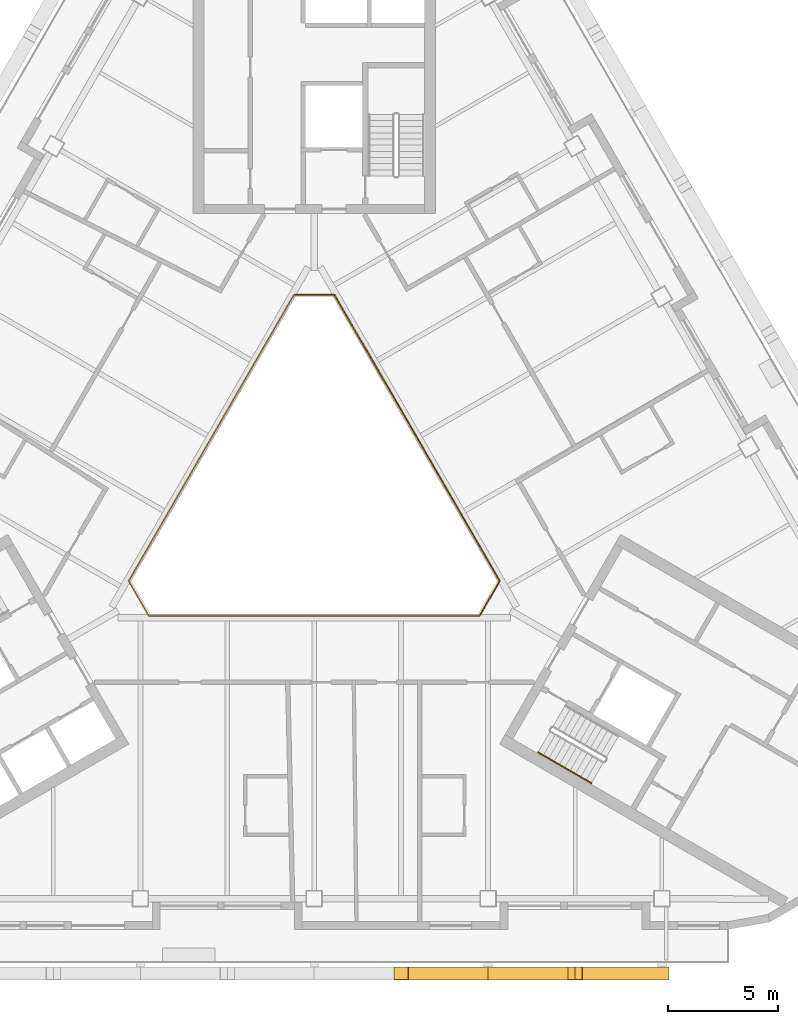
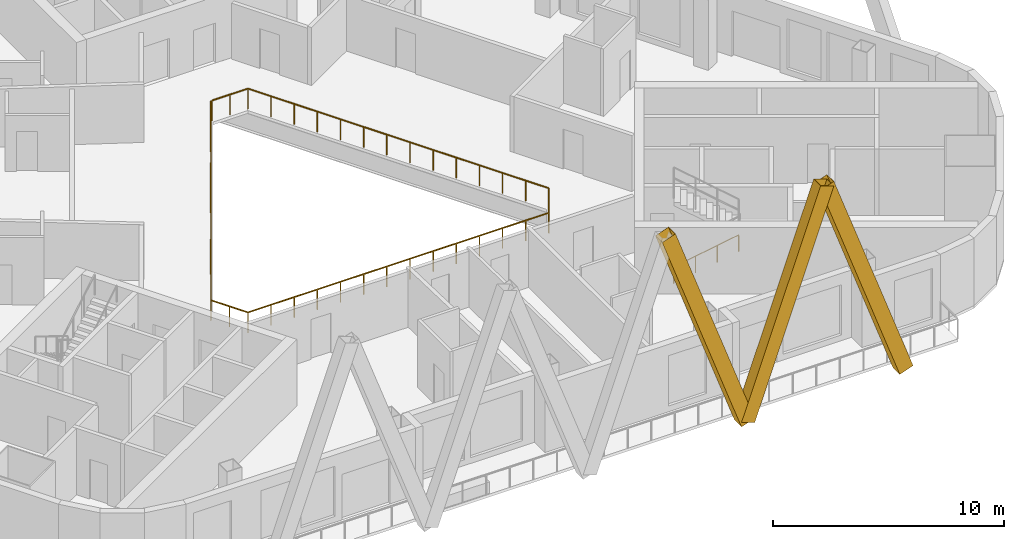
# One storey, part 10 of 13: 3 railings, 3 shading devices.
"""IFC4 building model written with IfcOpenShell, lengths in metres."""

from ifc_helpers import new_model, si_unit, direction, frame, origin, origin_2d, place, context, subcontext, project, spatial, rectangle, hollow_rectangle, circle, extrude, material, material_profile, profile_set, type_object, element, save


model = new_model("IFC4")

# Units and contexts
model_context = context("Model", 3, precision=1e-05, world=origin(), true_north=direction((0.0, 1.0)))
body_context = subcontext(model_context, "Body", "Model", "MODEL_VIEW")
ifc_project = project(units=[si_unit("LENGTHUNIT", "METRE"), si_unit("AREAUNIT", "SQUARE_METRE"), si_unit("VOLUMEUNIT", "CUBIC_METRE"), si_unit("PLANEANGLEUNIT", "RADIAN"), si_unit("MASSUNIT", "GRAM", prefix="KILO")], contexts=[model_context])

# Site, building, storey
site_placement = place(None, origin())
site = spatial("IfcSite", under=ifc_project, at=site_placement, CompositionType="ELEMENT")
building_placement = place(site_placement, origin())
building = spatial("IfcBuilding", under=site, at=building_placement, Name="Apuvela Tower Hotel", CompositionType="ELEMENT")
storey_placement = place(building_placement, frame((0.0, 0.0, 191.0)))
storey = spatial("IfcBuildingStorey", under=building, at=storey_placement, Name="L46", CompositionType="ELEMENT", Elevation=191.0)

# Railing
ifc_material_1 = material(Name="Stainless steel 316 handrail", Category="steel")
railing_type_1 = type_object("IfcRailingType", Name="COR-HANDRAIL-900", PredefinedType="HANDRAIL", material=ifc_material_1)
railing_1_placement = place(storey_placement, frame((10.1689453125, -11.5869140625, 0.168212890625)))
element("IfcRailing", 1, at=railing_1_placement, inside=storey, type_object=railing_type_1, Name="L46 ST3 stair handrail 1", PredefinedType="HANDRAIL", context=body_context, shape_type="SweptSolid", body=[
    extrude(circle(Radius=0.02392578125, at=origin_2d()), frame((0.0, 0.0, 0.8759765625), z_axis=(0.742390482028, -0.42860119049, 0.514934356695), x_axis=(0.49998411664, 0.866034573852, 0.0)), (0.0, 0.0, 1.0), 3.26611328125),
    extrude(rectangle(XDim=0.0419921875, YDim=0.0419921875, at=origin_2d()), origin(), (0.0, 0.0, 1.0), 0.851806640625),
    extrude(rectangle(XDim=0.0419921875, YDim=0.0419921875, at=origin_2d()), frame((0.808349609375, -0.466552734375, 0.560546875)), (0.0, 0.0, 1.0), 0.851806640625),
    extrude(rectangle(XDim=0.0419921875, YDim=0.0419921875, at=origin_2d()), frame((1.616455078125, -0.933349609375, 1.121337890625)), (0.0, 0.0, 1.0), 0.851806640625),
    extrude(rectangle(XDim=0.0419921875, YDim=0.0419921875, at=origin_2d()), frame((2.4248046875, -1.39990234375, 1.681884765625)), (0.0, 0.0, 1.0), 0.851806640625),
])

# Shading devices
ifc_material_2 = material(Name="Aluminium 6063-T6, black anodised", Category="aluminium")
ifc_material_profile = material_profile(ifc_material_2, hollow_rectangle(XDim=0.60009765625, YDim=0.699951171875, WallThickness=0.011962890625, at=origin_2d()), Name="AL BOX 700x600x12")
ifc_profile_set = profile_set([ifc_material_profile], Name="Aluminium 6063-T6, black anodised")
shading_device_type = type_object("IfcShadingDeviceType", Name="ENV-FIN-700x600", PredefinedType="USERDEFINED", material=ifc_profile_set)
for number, where, z_axis, x_axis, name in (
    (2, (7.89990234375, -21.6298828125, -0.10009765625), (-0.335254527156, 0.0, 0.942127593281), (0.0, -1.0, 0.0), "Lattice fin S438"),
    (3, (7.89990234375, -21.6298828125, -0.10009765625), (0.335272919535, 0.0, 0.942121048181), (0.0, 1.0, 0.0), "Lattice fin S439"),
    (4, (15.800048828125, -21.6298828125, -0.10009765625), (-0.335254527156, 0.0, 0.942127593281), (0.0, -1.0, 0.0), "Lattice fin S440"),
):
    element("IfcShadingDevice", number, at=place(storey_placement, frame(where, z_axis=z_axis, x_axis=x_axis)), inside=storey, type_object=shading_device_type, Name=name, ObjectType="FIN", PredefinedType="USERDEFINED", context=body_context, shape_type="SweptSolid", body=[
        extrude(hollow_rectangle(XDim=0.60009765625, YDim=0.699951171875, WallThickness=0.011962890625, at=origin_2d()), origin(), (0.0, 0.0, 1.0), 11.781982421875),
    ])

# Railings
ifc_material_3 = material(Name="Stainless steel 316 rail with laminated glass infill", Category="steel")
railing_type_2 = type_object("IfcRailingType", Name="ENV-GUARD-1100", PredefinedType="GUARDRAIL", material=ifc_material_3)
railing_2_placement = place(storey_placement, frame((-0.923828125, 9.199951171875, 0.0)))
element("IfcRailing", 5, at=railing_2_placement, inside=storey, type_object=railing_type_2, Name="Atrium void guard A L46", PredefinedType="GUARDRAIL", context=body_context, shape_type="SweptSolid", body=[
    extrude(rectangle(XDim=0.050048828125, YDim=0.050048828125, at=origin_2d()), frame((0.0, 0.0, 1.0751953125), z_axis=(-0.499990886379, -0.866030665472, 0.0), x_axis=(0.866030665472, -0.499990886379, 0.0)), (0.0, 0.0, 1.0), 15.010986328125),
    extrude(rectangle(XDim=0.050048828125, YDim=0.050048828125, at=origin_2d()), frame((-7.50537109375, -13.0, 1.0751953125), z_axis=(0.499962699187, -0.866046938348, 0.0), x_axis=(0.866046938348, 0.499962699187, 0.0)), (0.0, 0.0, 1.0), 1.847412109375),
    extrude(rectangle(XDim=0.050048828125, YDim=0.050048828125, at=origin_2d()), frame((-6.581787109375, -14.599853515625, 1.0751953125), z_axis=(1.0, 0.0, 0.0), x_axis=(0.0, 1.0, 0.0)), (0.0, 0.0, 1.0), 15.01123046875),
    extrude(rectangle(XDim=0.0400390625, YDim=0.0400390625, at=origin_2d()), origin(), (0.0, 0.0, 1.0), 1.050048828125),
    extrude(rectangle(XDim=0.0400390625, YDim=0.0400390625, at=origin_2d()), frame((-0.577392578125, -1.0, 0.0)), (0.0, 0.0, 1.0), 1.050048828125),
    extrude(rectangle(XDim=0.0400390625, YDim=0.0400390625, at=origin_2d()), frame((-1.15478515625, -2.0, 0.0)), (0.0, 0.0, 1.0), 1.050048828125),
    extrude(rectangle(XDim=0.0400390625, YDim=0.0400390625, at=origin_2d()), frame((-1.73193359375, -3.0, 0.0)), (0.0, 0.0, 1.0), 1.050048828125),
    extrude(rectangle(XDim=0.0400390625, YDim=0.0400390625, at=origin_2d()), frame((-2.309326171875, -4.0, 0.0)), (0.0, 0.0, 1.0), 1.050048828125),
    extrude(rectangle(XDim=0.0400390625, YDim=0.0400390625, at=origin_2d()), frame((-2.88671875, -5.0, 0.0)), (0.0, 0.0, 1.0), 1.050048828125),
    extrude(rectangle(XDim=0.0400390625, YDim=0.0400390625, at=origin_2d()), frame((-3.464111328125, -6.0, 0.0)), (0.0, 0.0, 1.0), 1.050048828125),
    extrude(rectangle(XDim=0.0400390625, YDim=0.0400390625, at=origin_2d()), frame((-4.041259765625, -7.0, 0.0)), (0.0, 0.0, 1.0), 1.050048828125),
    extrude(rectangle(XDim=0.0400390625, YDim=0.0400390625, at=origin_2d()), frame((-4.61865234375, -8.0, 0.0)), (0.0, 0.0, 1.0), 1.050048828125),
    extrude(rectangle(XDim=0.0400390625, YDim=0.0400390625, at=origin_2d()), frame((-5.196044921875, -9.0, 0.0)), (0.0, 0.0, 1.0), 1.050048828125),
    extrude(rectangle(XDim=0.0400390625, YDim=0.0400390625, at=origin_2d()), frame((-5.7734375, -10.0, 0.0)), (0.0, 0.0, 1.0), 1.050048828125),
    extrude(rectangle(XDim=0.0400390625, YDim=0.0400390625, at=origin_2d()), frame((-6.3505859375, -11.0, 0.0)), (0.0, 0.0, 1.0), 1.050048828125),
    extrude(rectangle(XDim=0.0400390625, YDim=0.0400390625, at=origin_2d()), frame((-6.927978515625, -12.0, 0.0)), (0.0, 0.0, 1.0), 1.050048828125),
    extrude(rectangle(XDim=0.0400390625, YDim=0.0400390625, at=origin_2d()), frame((-7.50537109375, -13.0, 0.0)), (0.0, 0.0, 1.0), 1.050048828125),
    extrude(rectangle(XDim=0.0400390625, YDim=0.0400390625, at=origin_2d()), frame((-7.04345703125, -13.7998046875, 0.0)), (0.0, 0.0, 1.0), 1.050048828125),
    extrude(rectangle(XDim=0.0400390625, YDim=0.0400390625, at=origin_2d()), frame((-6.581787109375, -14.599853515625, 0.0)), (0.0, 0.0, 1.0), 1.050048828125),
    extrude(rectangle(XDim=0.0400390625, YDim=0.0400390625, at=origin_2d()), frame((-5.427001953125, -14.599853515625, 0.0)), (0.0, 0.0, 1.0), 1.050048828125),
    extrude(rectangle(XDim=0.0400390625, YDim=0.0400390625, at=origin_2d()), frame((-4.2724609375, -14.599853515625, 0.0)), (0.0, 0.0, 1.0), 1.050048828125),
    extrude(rectangle(XDim=0.0400390625, YDim=0.0400390625, at=origin_2d()), frame((-3.11767578125, -14.599853515625, 0.0)), (0.0, 0.0, 1.0), 1.050048828125),
    extrude(rectangle(XDim=0.0400390625, YDim=0.0400390625, at=origin_2d()), frame((-1.962890625, -14.599853515625, 0.0)), (0.0, 0.0, 1.0), 1.050048828125),
    extrude(rectangle(XDim=0.0400390625, YDim=0.0400390625, at=origin_2d()), frame((-0.808349609375, -14.599853515625, 0.0)), (0.0, 0.0, 1.0), 1.050048828125),
    extrude(rectangle(XDim=0.0400390625, YDim=0.0400390625, at=origin_2d()), frame((0.346435546875, -14.599853515625, 0.0)), (0.0, 0.0, 1.0), 1.050048828125),
    extrude(rectangle(XDim=0.0400390625, YDim=0.0400390625, at=origin_2d()), frame((1.501220703125, -14.599853515625, 0.0)), (0.0, 0.0, 1.0), 1.050048828125),
    extrude(rectangle(XDim=0.0400390625, YDim=0.0400390625, at=origin_2d()), frame((2.656005859375, -14.599853515625, 0.0)), (0.0, 0.0, 1.0), 1.050048828125),
    extrude(rectangle(XDim=0.0400390625, YDim=0.0400390625, at=origin_2d()), frame((3.810546875, -14.599853515625, 0.0)), (0.0, 0.0, 1.0), 1.050048828125),
    extrude(rectangle(XDim=0.0400390625, YDim=0.0400390625, at=origin_2d()), frame((4.96533203125, -14.599853515625, 0.0)), (0.0, 0.0, 1.0), 1.050048828125),
    extrude(rectangle(XDim=0.0400390625, YDim=0.0400390625, at=origin_2d()), frame((6.1201171875, -14.599853515625, 0.0)), (0.0, 0.0, 1.0), 1.050048828125),
    extrude(rectangle(XDim=0.0400390625, YDim=0.0400390625, at=origin_2d()), frame((7.274658203125, -14.599853515625, 0.0)), (0.0, 0.0, 1.0), 1.050048828125),
    extrude(rectangle(XDim=0.0400390625, YDim=0.0400390625, at=origin_2d()), frame((8.429443359375, -14.599853515625, 0.0)), (0.0, 0.0, 1.0), 1.050048828125),
])
railing_3_placement = place(storey_placement, frame((7.53564453125, -5.347900390625, 0.0)))
element("IfcRailing", 6, at=railing_3_placement, inside=storey, type_object=railing_type_2, Name="Atrium void guard B L46", PredefinedType="GUARDRAIL", context=body_context, shape_type="SweptSolid", body=[
    extrude(rectangle(XDim=0.050048828125, YDim=0.050048828125, at=origin_2d()), frame((0.0, 0.0, 1.0751953125), z_axis=(0.499958946799, 0.866049104564, 0.0), x_axis=(-0.866049104564, 0.499958946799, 0.0)), (0.0, 0.0, 1.0), 1.787353515625),
    extrude(rectangle(XDim=0.050048828125, YDim=0.050048828125, at=origin_2d()), frame((0.8935546875, 1.5478515625, 1.0751953125), z_axis=(-0.499990886379, 0.866030665472, 0.0), x_axis=(-0.866030665472, -0.499990886379, 0.0)), (0.0, 0.0, 1.0), 15.010986328125),
    extrude(rectangle(XDim=0.050048828125, YDim=0.050048828125, at=origin_2d()), frame((-6.61181640625, 14.5478515625, 1.0751953125), z_axis=(-1.0, 0.0, 0.0), x_axis=(0.0, -1.0, 0.0)), (0.0, 0.0, 1.0), 1.78759765625),
    extrude(rectangle(XDim=0.0400390625, YDim=0.0400390625, at=origin_2d()), origin(), (0.0, 0.0, 1.0), 1.050048828125),
    extrude(rectangle(XDim=0.0400390625, YDim=0.0400390625, at=origin_2d()), frame((0.44677734375, 0.77392578125, 0.0)), (0.0, 0.0, 1.0), 1.050048828125),
    extrude(rectangle(XDim=0.0400390625, YDim=0.0400390625, at=origin_2d()), frame((0.8935546875, 1.5478515625, 0.0)), (0.0, 0.0, 1.0), 1.050048828125),
    extrude(rectangle(XDim=0.0400390625, YDim=0.0400390625, at=origin_2d()), frame((0.316162109375, 2.5478515625, 0.0)), (0.0, 0.0, 1.0), 1.050048828125),
    extrude(rectangle(XDim=0.0400390625, YDim=0.0400390625, at=origin_2d()), frame((-0.26123046875, 3.5478515625, 0.0)), (0.0, 0.0, 1.0), 1.050048828125),
    extrude(rectangle(XDim=0.0400390625, YDim=0.0400390625, at=origin_2d()), frame((-0.83837890625, 4.5478515625, 0.0)), (0.0, 0.0, 1.0), 1.050048828125),
    extrude(rectangle(XDim=0.0400390625, YDim=0.0400390625, at=origin_2d()), frame((-1.415771484375, 5.5478515625, 0.0)), (0.0, 0.0, 1.0), 1.050048828125),
    extrude(rectangle(XDim=0.0400390625, YDim=0.0400390625, at=origin_2d()), frame((-1.9931640625, 6.5478515625, 0.0)), (0.0, 0.0, 1.0), 1.050048828125),
    extrude(rectangle(XDim=0.0400390625, YDim=0.0400390625, at=origin_2d()), frame((-2.570556640625, 7.5478515625, 0.0)), (0.0, 0.0, 1.0), 1.050048828125),
    extrude(rectangle(XDim=0.0400390625, YDim=0.0400390625, at=origin_2d()), frame((-3.147705078125, 8.5478515625, 0.0)), (0.0, 0.0, 1.0), 1.050048828125),
    extrude(rectangle(XDim=0.0400390625, YDim=0.0400390625, at=origin_2d()), frame((-3.72509765625, 9.5478515625, 0.0)), (0.0, 0.0, 1.0), 1.050048828125),
    extrude(rectangle(XDim=0.0400390625, YDim=0.0400390625, at=origin_2d()), frame((-4.302490234375, 10.5478515625, 0.0)), (0.0, 0.0, 1.0), 1.050048828125),
    extrude(rectangle(XDim=0.0400390625, YDim=0.0400390625, at=origin_2d()), frame((-4.8798828125, 11.5478515625, 0.0)), (0.0, 0.0, 1.0), 1.050048828125),
    extrude(rectangle(XDim=0.0400390625, YDim=0.0400390625, at=origin_2d()), frame((-5.45703125, 12.5478515625, 0.0)), (0.0, 0.0, 1.0), 1.050048828125),
    extrude(rectangle(XDim=0.0400390625, YDim=0.0400390625, at=origin_2d()), frame((-6.034423828125, 13.5478515625, 0.0)), (0.0, 0.0, 1.0), 1.050048828125),
    extrude(rectangle(XDim=0.0400390625, YDim=0.0400390625, at=origin_2d()), frame((-6.61181640625, 14.5478515625, 0.0)), (0.0, 0.0, 1.0), 1.050048828125),
    extrude(rectangle(XDim=0.0400390625, YDim=0.0400390625, at=origin_2d()), frame((-7.505615234375, 14.5478515625, 0.0)), (0.0, 0.0, 1.0), 1.050048828125),
    extrude(rectangle(XDim=0.0400390625, YDim=0.0400390625, at=origin_2d()), frame((-8.3994140625, 14.5478515625, 0.0)), (0.0, 0.0, 1.0), 1.050048828125),
])

save(model, "model.ifc")
